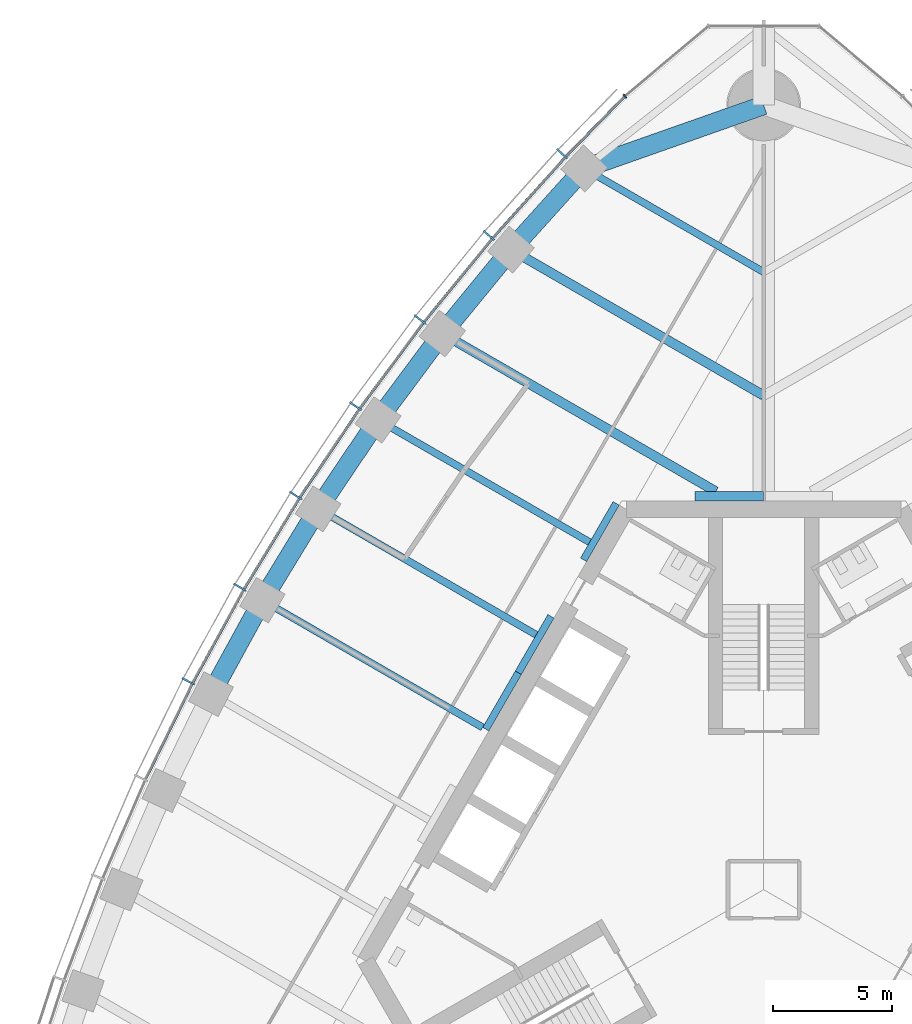
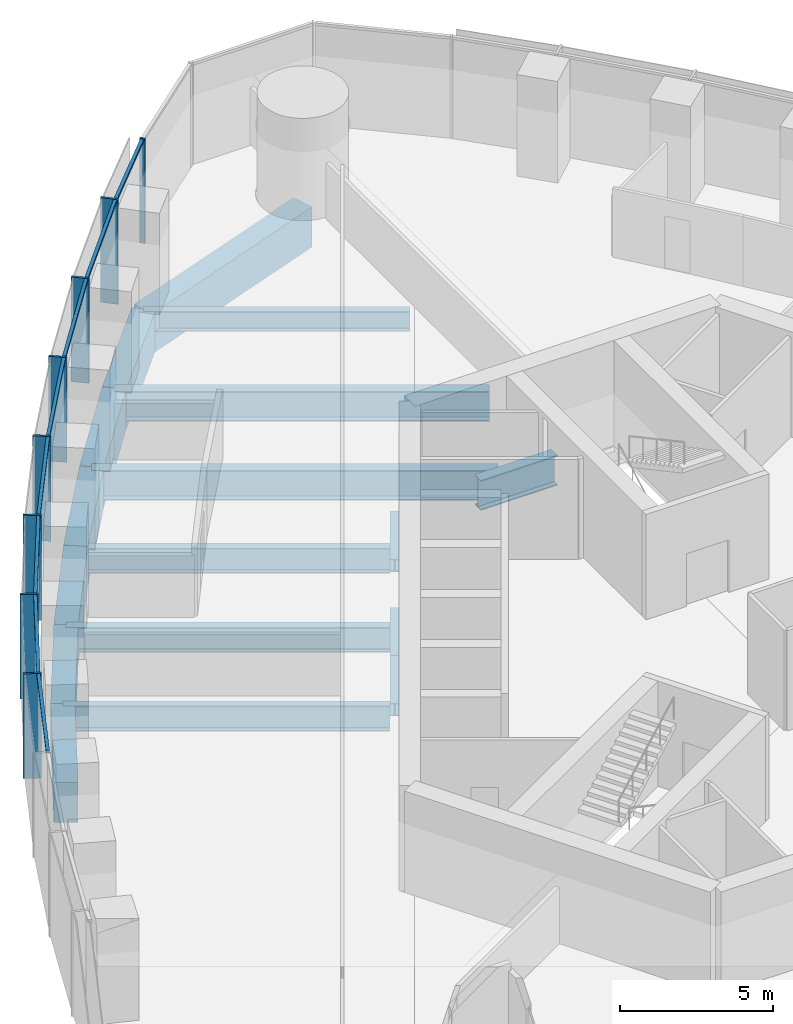
# One storey, part 5 of 19: 17 beams, 16 members, 2 elements without a shape of their own.
"""IFC4 building model written with IfcOpenShell, lengths in metres."""

from ifc_helpers import new_model, si_unit, direction, frame, origin, origin_2d, place, context, subcontext, project, spatial, rectangle, i_section, extrude, material, material_profile, profile_set, type_object, element, aggregate, save


model = new_model("IFC4")

# Units and contexts
model_context = context("Model", 3, precision=1e-05, world=origin(), true_north=direction((0.0, 1.0)))
body_context = subcontext(model_context, "Body", "Model", "MODEL_VIEW")
ifc_project = project(units=[si_unit("LENGTHUNIT", "METRE"), si_unit("AREAUNIT", "SQUARE_METRE"), si_unit("VOLUMEUNIT", "CUBIC_METRE"), si_unit("PLANEANGLEUNIT", "RADIAN"), si_unit("MASSUNIT", "GRAM", prefix="KILO")], contexts=[model_context])

# Site, building, storey
site_placement = place(None, origin())
site = spatial("IfcSite", under=ifc_project, at=site_placement, CompositionType="ELEMENT")
building_placement = place(site_placement, origin())
building = spatial("IfcBuilding", under=site, at=building_placement, Name="Trefoil Bronze Tower", CompositionType="ELEMENT")
storey_placement = place(building_placement, frame((0.0, 0.0, 256.89990234375)))
storey = spatial("IfcBuildingStorey", under=building, at=storey_placement, Name="L59", CompositionType="ELEMENT", Elevation=256.89990234375)

# Curtain wall, members
ifc_material_1 = material(Name="Tinted solar-control glass", Category="glass")
curtain_wall_type_1 = type_object("IfcCurtainWallType", Name="Bronze office curtain wall", PredefinedType="USERDEFINED", material=ifc_material_1)
curtain_wall_1_placement = place(storey_placement, origin())
curtain_wall_1 = element("IfcCurtainWall", 1, at=curtain_wall_1_placement, inside=storey, type_object=curtain_wall_type_1, Name="CW-A L59 F3", ObjectType="CURTAIN WALL", PredefinedType="USERDEFINED")
ifc_material_2 = material(Name="Bronze-finish aluminium", Category="aluminium")
ifc_material_profile_1 = material_profile(ifc_material_2, rectangle(XDim=0.60009765625, YDim=0.080078125, at=origin_2d()), Name="CW-A mullion")
ifc_profile_set_1 = profile_set([ifc_material_profile_1], Name="Bronze-finish aluminium")
member_type_1 = type_object("IfcMemberType", Name="Bronze office curtain wall mullion", PredefinedType="MULLION", material=ifc_profile_set_1)
member_1_placement = place(storey_placement, frame((-8.482177734375, 30.95654296875, 0.0), z_axis=(0.0, 0.0, 1.0), x_axis=(0.729859580661, -0.683597098091, 0.0)))
member_1 = element("IfcMember", 2, at=member_1_placement, type_object=member_type_1, Name="CW-A L59 F3 mullion 2", PredefinedType="MULLION", context=body_context, shape_type="SweptSolid", body=[
    extrude(rectangle(XDim=0.60009765625, YDim=0.080078125, at=origin_2d()), origin(), (0.0, 0.0, 1.0), 4.18017578125),
])
member_2_placement = place(storey_placement, frame((-11.564697265625, 27.525146484375, 0.0), z_axis=(0.0, 0.0, 1.0), x_axis=(0.75935470958, -0.650676897576, 0.0)))
member_2 = element("IfcMember", 3, at=member_2_placement, type_object=member_type_1, Name="CW-A L59 F3 mullion 3", PredefinedType="MULLION", context=body_context, shape_type="SweptSolid", body=[
    extrude(rectangle(XDim=0.60009765625, YDim=0.080078125, at=origin_2d()), origin(), (0.0, 0.0, 1.0), 4.18017578125),
])
member_3_placement = place(storey_placement, frame((-14.45849609375, 23.98388671875, 0.0), z_axis=(0.0, 0.0, 1.0), x_axis=(0.788821461078, -0.614622406476, 0.0)))
member_3 = element("IfcMember", 4, at=member_3_placement, type_object=member_type_1, Name="CW-A L59 F3 mullion 4", PredefinedType="MULLION", context=body_context, shape_type="SweptSolid", body=[
    extrude(rectangle(XDim=0.60009765625, YDim=0.080078125, at=origin_2d()), origin(), (0.0, 0.0, 1.0), 4.18017578125),
])
member_4_placement = place(storey_placement, frame((-17.167236328125, 20.335693359375, 0.0), z_axis=(0.0, 0.0, 1.0), x_axis=(0.81640398396, -0.577481198806, 0.0)))
member_4 = element("IfcMember", 5, at=member_4_placement, type_object=member_type_1, Name="CW-A L59 F3 mullion 5", PredefinedType="MULLION", context=body_context, shape_type="SweptSolid", body=[
    extrude(rectangle(XDim=0.60009765625, YDim=0.080078125, at=origin_2d()), origin(), (0.0, 0.0, 1.0), 4.18017578125),
])
member_5_placement = place(storey_placement, frame((-19.694091796875, 16.58251953125, 0.0), z_axis=(0.0, 0.0, 1.0), x_axis=(0.842132664593, -0.539270410114, 0.0)))
member_5 = element("IfcMember", 6, at=member_5_placement, type_object=member_type_1, Name="CW-A L59 F3 mullion 6", PredefinedType="MULLION", context=body_context, shape_type="SweptSolid", body=[
    extrude(rectangle(XDim=0.60009765625, YDim=0.080078125, at=origin_2d()), origin(), (0.0, 0.0, 1.0), 4.18017578125),
])
member_6_placement = place(storey_placement, frame((-22.041015625, 12.725341796875, 0.0), z_axis=(0.0, 0.0, 1.0), x_axis=(0.866025403784, -0.5, 0.0)))
member_6 = element("IfcMember", 7, at=member_6_placement, type_object=member_type_1, Name="CW-A L59 F3 mullion 7", PredefinedType="MULLION", context=body_context, shape_type="SweptSolid", body=[
    extrude(rectangle(XDim=0.60009765625, YDim=0.080078125, at=origin_2d()), origin(), (0.0, 0.0, 1.0), 4.18017578125),
])
member_7_placement = place(storey_placement, frame((-24.2080078125, 8.764404296875, 0.0), z_axis=(0.0, 0.0, 1.0), x_axis=(0.888088206965, -0.459673075837, 0.0)))
member_7 = element("IfcMember", 8, at=member_7_placement, type_object=member_type_1, Name="CW-A L59 F3 mullion 8", PredefinedType="MULLION", context=body_context, shape_type="SweptSolid", body=[
    extrude(rectangle(XDim=0.60009765625, YDim=0.080078125, at=origin_2d()), origin(), (0.0, 0.0, 1.0), 4.18017578125),
])
ifc_material_3 = material(Name="Bronze-finish aluminium", Category="aluminium")
ifc_material_profile_2 = material_profile(ifc_material_3, rectangle(XDim=0.1201171875, YDim=0.10009765625, at=origin_2d()), Name="CW-A transom")
ifc_profile_set_2 = profile_set([ifc_material_profile_2], Name="Bronze-finish aluminium")
member_type_2 = type_object("IfcMemberType", Name="Bronze office curtain wall transom", PredefinedType="USERDEFINED", material=ifc_profile_set_2)
member_8_placement = place(storey_placement, frame((-5.873046875, 33.342529296875, 4.130126953125), z_axis=(-0.698646935368, -0.715466602785, 0.0), x_axis=(0.715466602785, -0.698646935368, 0.0)))
member_8 = element("IfcMember", 9, at=member_8_placement, type_object=member_type_2, Name="CW-A L59 F3 transom 1", ObjectType="TRANSOM", PredefinedType="USERDEFINED", context=body_context, shape_type="SweptSolid", body=[
    extrude(rectangle(XDim=0.1201171875, YDim=0.10009765625, at=origin_2d()), origin(), (0.0, 0.0, 1.0), 3.483642578125),
])
member_9_placement = place(storey_placement, frame((-8.364501953125, 30.78857421875, 4.130126953125), z_axis=(-0.66825109551, -0.743935799213, 0.0), x_axis=(0.743935799213, -0.66825109551, 0.0)))
member_9 = element("IfcMember", 10, at=member_9_placement, type_object=member_type_2, Name="CW-A L59 F3 transom 2", ObjectType="TRANSOM", PredefinedType="USERDEFINED", context=body_context, shape_type="SweptSolid", body=[
    extrude(rectangle(XDim=0.1201171875, YDim=0.10009765625, at=origin_2d()), origin(), (0.0, 0.0, 1.0), 4.519287109375),
])
member_10_placement = place(storey_placement, frame((-11.439453125, 27.3623046875, 4.130126953125), z_axis=(-0.632756871921, -0.774350528531, 0.0), x_axis=(0.774350528531, -0.632756871921, 0.0)))
member_10 = element("IfcMember", 11, at=member_10_placement, type_object=member_type_2, Name="CW-A L59 F3 transom 3", ObjectType="TRANSOM", PredefinedType="USERDEFINED", context=body_context, shape_type="SweptSolid", body=[
    extrude(rectangle(XDim=0.1201171875, YDim=0.10009765625, at=origin_2d()), origin(), (0.0, 0.0, 1.0), 4.4794921875),
])
member_11_placement = place(storey_placement, frame((-14.325927734375, 23.826904296875, 4.130126953125), z_axis=(-0.59614822717, -0.802874393191, 0.0), x_axis=(0.802874393191, -0.59614822717, 0.0)))
member_11 = element("IfcMember", 12, at=member_11_placement, type_object=member_type_2, Name="CW-A L59 F3 transom 4", ObjectType="TRANSOM", PredefinedType="USERDEFINED", context=body_context, shape_type="SweptSolid", body=[
    extrude(rectangle(XDim=0.1201171875, YDim=0.10009765625, at=origin_2d()), origin(), (0.0, 0.0, 1.0), 4.449951171875),
])
member_12_placement = place(storey_placement, frame((-17.027587890625, 20.18505859375, 4.130126953125), z_axis=(-0.558509087547, -0.829498402125, 0.0), x_axis=(0.829498402125, -0.558509087547, 0.0)))
member_12 = element("IfcMember", 13, at=member_12_placement, type_object=member_type_2, Name="CW-A L59 F3 transom 5", ObjectType="TRANSOM", PredefinedType="USERDEFINED", context=body_context, shape_type="SweptSolid", body=[
    extrude(rectangle(XDim=0.1201171875, YDim=0.10009765625, at=origin_2d()), origin(), (0.0, 0.0, 1.0), 4.4306640625),
])
member_13_placement = place(storey_placement, frame((-19.5478515625, 16.4384765625, 4.130126953125), z_axis=(-0.519740214649, -0.854324358354, 0.0), x_axis=(0.854324358354, -0.519740214649, 0.0)))
member_13 = element("IfcMember", 14, at=member_13_placement, type_object=member_type_2, Name="CW-A L59 F3 transom 6", ObjectType="TRANSOM", PredefinedType="USERDEFINED", context=body_context, shape_type="SweptSolid", body=[
    extrude(rectangle(XDim=0.1201171875, YDim=0.10009765625, at=origin_2d()), origin(), (0.0, 0.0, 1.0), 4.421142578125),
])
member_14_placement = place(storey_placement, frame((-21.887939453125, 12.588134765625, 4.130126953125), z_axis=(-0.479973729071, -0.877282861683, 0.0), x_axis=(0.877282861683, -0.479973729071, 0.0)))
member_14 = element("IfcMember", 15, at=member_14_placement, type_object=member_type_2, Name="CW-A L59 F3 transom 7", ObjectType="TRANSOM", PredefinedType="USERDEFINED", context=body_context, shape_type="SweptSolid", body=[
    extrude(rectangle(XDim=0.1201171875, YDim=0.10009765625, at=origin_2d()), origin(), (0.0, 0.0, 1.0), 4.421142578125),
])
member_15_placement = place(storey_placement, frame((-24.048828125, 8.634521484375, 4.130126953125), z_axis=(-0.439150835991, -0.898413347657, 0.0), x_axis=(0.898413347657, -0.439150835991, 0.0)))
member_15 = element("IfcMember", 16, at=member_15_placement, type_object=member_type_2, Name="CW-A L59 F3 transom 8", ObjectType="TRANSOM", PredefinedType="USERDEFINED", context=body_context, shape_type="SweptSolid", body=[
    extrude(rectangle(XDim=0.1201171875, YDim=0.10009765625, at=origin_2d()), origin(), (0.0, 0.0, 1.0), 4.430908203125),
])
aggregate(curtain_wall_1, [member_1, member_2, member_3, member_4, member_5, member_6, member_7, member_8, member_9, member_10, member_11, member_12, member_13, member_14, member_15])

# Curtain wall, member
ifc_material_4 = material(Name="Tinted solar-control glass", Category="glass")
curtain_wall_type_2 = type_object("IfcCurtainWallType", Name="Bronze rounded corner curtain wall", PredefinedType="USERDEFINED", material=ifc_material_4)
curtain_wall_2_placement = place(storey_placement, origin())
curtain_wall_2 = element("IfcCurtainWall", 17, at=curtain_wall_2_placement, inside=storey, type_object=curtain_wall_type_2, Name="CW-B L59 K2", ObjectType="CURTAIN WALL", PredefinedType="USERDEFINED")
ifc_material_5 = material(Name="Bronze-finish aluminium", Category="aluminium")
ifc_material_profile_3 = material_profile(ifc_material_5, rectangle(XDim=0.199951171875, YDim=0.06005859375, at=origin_2d()), Name="CW-B mullion")
ifc_profile_set_3 = profile_set([ifc_material_profile_3], Name="Bronze-finish aluminium")
member_type_3 = type_object("IfcMemberType", Name="Bronze rounded corner curtain wall mullion", PredefinedType="MULLION", material=ifc_profile_set_3)
member_16_placement = place(storey_placement, frame((-5.837890625, 33.3779296875, 0.0), z_axis=(0.0, 0.0, 1.0), x_axis=(0.642787609687, -0.766044443119, 0.0)))
member_16 = element("IfcMember", 18, at=member_16_placement, type_object=member_type_3, Name="CW-B L59 K2 mullion 4", PredefinedType="MULLION", context=body_context, shape_type="SweptSolid", body=[
    extrude(rectangle(XDim=0.199951171875, YDim=0.06005859375, at=origin_2d()), origin(), (0.0, 0.0, 1.0), 4.18017578125),
])
aggregate(curtain_wall_2, [member_16])

# Beams
ifc_material_6 = material(Name="Steel C355", Category="steel")
ifc_material_profile_4 = material_profile(ifc_material_6, i_section(OverallWidth=0.300048828125, OverallDepth=0.5, WebThickness=0.014404296875, FlangeThickness=0.028076171875, FilletRadius=0.027099609375, at=origin_2d()), Name="HEB 500")
ifc_profile_set_4 = profile_set([ifc_material_profile_4], Name="Steel C355")
beam_type_1 = type_object("IfcBeamType", Name="Core seat beam HEB 500", PredefinedType="BEAM", material=ifc_profile_set_4)
for number, where, z_axis, x_axis, name in (
    (19, (-6.20654296875, 16.25, -0.449951171875), (-0.499969057507, -0.866043267704, 0.0), (0.866043267704, -0.499969057507, 0.0), "Core seat beam F3/-2 L59"),
    (20, (-8.948974609375, 11.5, -0.449951171875), (-0.499969057507, -0.866043267704, 0.0), (0.866043267704, -0.499969057507, 0.0), "Core seat beam F3/-1 L59"),
    (21, (-10.320068359375, 9.125, -0.449951171875), (-0.500035825175, -0.866004719122, 0.0), (0.866004719122, -0.500035825175, 0.0), "Core seat beam F3/+0 L59"),
):
    element("IfcBeam", number, at=place(storey_placement, frame(where, z_axis=z_axis, x_axis=x_axis)), inside=storey, type_object=beam_type_1, Name=name, PredefinedType="BEAM", context=body_context, shape_type="SweptSolid", body=[
        extrude(i_section(OverallWidth=0.300048828125, OverallDepth=0.5, WebThickness=0.014404296875, FlangeThickness=0.028076171875, FilletRadius=0.027099609375, at=origin_2d()), origin(), (0.0, 0.0, 1.0), 2.742431640625),
    ])
ifc_material_7 = material(Name="Steel C355", Category="steel")
ifc_material_profile_5 = material_profile(ifc_material_7, i_section(OverallWidth=0.39990234375, OverallDepth=1.199951171875, WebThickness=0.02001953125, FlangeThickness=0.0400390625, FilletRadius=0.010009765625, at=origin_2d()), Name="WPG 1200")
ifc_profile_set_5 = profile_set([ifc_material_profile_5], Name="Steel C355")
beam_type_2 = type_object("IfcBeamType", Name="Core seat beam WPG 1200", PredefinedType="BEAM", material=ifc_profile_set_5)
beam_1_placement = place(storey_placement, frame((0.0, 16.550048828125, -0.7998046875), z_axis=(-1.0, 0.0, 0.0), x_axis=(0.0, -1.0, 0.0)))
element("IfcBeam", 22, at=beam_1_placement, inside=storey, type_object=beam_type_2, Name="Core seat beam F3/-3 L59", PredefinedType="BEAM", context=body_context, shape_type="SweptSolid", body=[
    extrude(i_section(OverallWidth=0.39990234375, OverallDepth=1.199951171875, WebThickness=0.02001953125, FlangeThickness=0.0400390625, FilletRadius=0.010009765625, at=origin_2d()), origin(), (0.0, 0.0, 1.0), 2.88671875),
])
ifc_material_8 = material(Name="Concrete B80", Category="concrete")
ifc_material_profile_6 = material_profile(ifc_material_8, rectangle(XDim=0.800048828125, YDim=1.60009765625, at=origin_2d()), Name="RC 800x1600")
ifc_profile_set_6 = profile_set([ifc_material_profile_6], Name="Concrete B80")
beam_type_3 = type_object("IfcBeamType", Name="End spandrel beam RC 800x1600", PredefinedType="SPANDREL", material=ifc_profile_set_6)
beam_2_placement = place(storey_placement, frame((0.0, 33.0, -1.0), z_axis=(-0.943234397359, -0.332127794137, 0.0), x_axis=(0.332127794137, -0.943234397359, 0.0)))
element("IfcBeam", 23, at=beam_2_placement, inside=storey, type_object=beam_type_3, Name="Spandrel F3.1 L59", PredefinedType="SPANDREL", context=body_context, shape_type="SweptSolid", body=[
    extrude(rectangle(XDim=0.800048828125, YDim=1.60009765625, at=origin_2d()), origin(), (0.0, 0.0, 1.0), 8.006591796875),
])
ifc_material_9 = material(Name="Steel C355", Category="steel")
ifc_material_profile_7 = material_profile(ifc_material_9, i_section(OverallWidth=0.300048828125, OverallDepth=1.0, WebThickness=0.01904296875, FlangeThickness=0.035888671875, FilletRadius=0.030029296875, at=origin_2d()), Name="HEB 1000")
ifc_profile_set_7 = profile_set([ifc_material_profile_7], Name="Steel C355")
beam_type_4 = type_object("IfcBeamType", Name="Floor beam HEB 1000", PredefinedType="BEAM", material=ifc_profile_set_7)
beam_3_placement = place(storey_placement, frame((-16.2265625, 19.7607421875, -0.699951171875), z_axis=(0.866019527493, -0.500010177898, 0.0), x_axis=(0.500010177898, 0.866019527493, 0.0)))
element("IfcBeam", 24, at=beam_3_placement, inside=storey, type_object=beam_type_4, Name="Floor beam F3/-2 L59", PredefinedType="BEAM", context=body_context, shape_type="SweptSolid", body=[
    extrude(i_section(OverallWidth=0.300048828125, OverallDepth=1.0, WebThickness=0.01904296875, FlangeThickness=0.035888671875, FilletRadius=0.030029296875, at=origin_2d()), origin(), (0.0, 0.0, 1.0), 10.282958984375),
])
ifc_material_10 = material(Name="Steel C355", Category="steel")
ifc_material_profile_8 = material_profile(ifc_material_10, i_section(OverallWidth=0.300048828125, OverallDepth=0.800048828125, WebThickness=0.017578125, FlangeThickness=0.032958984375, FilletRadius=0.030029296875, at=origin_2d()), Name="HEB 800")
ifc_profile_set_8 = profile_set([ifc_material_profile_8], Name="Steel C355")
beam_type_5 = type_object("IfcBeamType", Name="Floor beam HEB 800", PredefinedType="BEAM", material=ifc_profile_set_8)
beam_4_placement = place(storey_placement, frame((-7.552001953125, 30.3408203125, -0.599853515625), z_axis=(0.866027535932, -0.499996306993, 0.0), x_axis=(0.499996306993, 0.866027535932, 0.0)))
element("IfcBeam", 25, at=beam_4_placement, inside=storey, type_object=beam_type_5, Name="Floor beam F3/-5 L59", PredefinedType="BEAM", context=body_context, shape_type="SweptSolid", body=[
    extrude(i_section(OverallWidth=0.300048828125, OverallDepth=0.800048828125, WebThickness=0.017578125, FlangeThickness=0.032958984375, FilletRadius=0.030029296875, at=origin_2d()), origin(), (0.0, 0.0, 1.0), 8.72021484375),
])
ifc_material_11 = material(Name="Steel C355", Category="steel")
ifc_material_profile_9 = material_profile(ifc_material_11, i_section(OverallWidth=0.302001953125, OverallDepth=1.008056640625, WebThickness=0.02099609375, FlangeThickness=0.0400390625, FilletRadius=0.030029296875, at=origin_2d()), Name="HEM 1000")
ifc_profile_set_9 = profile_set([ifc_material_profile_9], Name="Steel C355")
beam_type_6 = type_object("IfcBeamType", Name="Floor beam HEM 1000", PredefinedType="BEAM", material=ifc_profile_set_9)
beam_5_placement = place(storey_placement, frame((-18.748046875, 16.020263671875, -0.703857421875), z_axis=(0.86602981261, -0.499992363612, 0.0), x_axis=(0.499992363612, 0.86602981261, 0.0)))
element("IfcBeam", 26, at=beam_5_placement, inside=storey, type_object=beam_type_6, Name="Floor beam F3/-1 L59", PredefinedType="BEAM", context=body_context, shape_type="SweptSolid", body=[
    extrude(i_section(OverallWidth=0.302001953125, OverallDepth=1.008056640625, WebThickness=0.02099609375, FlangeThickness=0.0400390625, FilletRadius=0.030029296875, at=origin_2d()), origin(), (0.0, 0.0, 1.0), 10.596435546875),
])
beam_6_placement = place(storey_placement, frame((-21.08837890625, 12.17529296875, -0.703857421875), z_axis=(0.86602601154, -0.499998947334, 0.0), x_axis=(0.499998947334, 0.86602601154, 0.0)))
element("IfcBeam", 27, at=beam_6_placement, inside=storey, type_object=beam_type_6, Name="Floor beam F3/+0 L59", PredefinedType="BEAM", context=body_context, shape_type="SweptSolid", body=[
    extrude(i_section(OverallWidth=0.302001953125, OverallDepth=1.008056640625, WebThickness=0.02099609375, FlangeThickness=0.0400390625, FilletRadius=0.030029296875, at=origin_2d()), origin(), (0.0, 0.0, 1.0), 10.70068359375),
])
ifc_material_12 = material(Name="Steel C355", Category="steel")
ifc_material_profile_10 = material_profile(ifc_material_12, i_section(OverallWidth=0.39990234375, OverallDepth=1.199951171875, WebThickness=0.02001953125, FlangeThickness=0.0400390625, FilletRadius=0.010009765625, at=origin_2d()), Name="WPG 1200")
ifc_profile_set_10 = profile_set([ifc_material_profile_10], Name="Steel C355")
beam_type_7 = type_object("IfcBeamType", Name="Floor beam WPG 1200", PredefinedType="BEAM", material=ifc_profile_set_10)
beam_7_placement = place(storey_placement, frame((-10.632080078125, 26.923095703125, -0.7998046875), z_axis=(0.866025635187, -0.499999599199, 0.0), x_axis=(0.499999599199, 0.866025635187, 0.0)))
element("IfcBeam", 28, at=beam_7_placement, inside=storey, type_object=beam_type_7, Name="Floor beam F3/-4 L59", PredefinedType="BEAM", context=body_context, shape_type="SweptSolid", body=[
    extrude(i_section(OverallWidth=0.39990234375, OverallDepth=1.199951171875, WebThickness=0.02001953125, FlangeThickness=0.0400390625, FilletRadius=0.010009765625, at=origin_2d()), origin(), (0.0, 0.0, 1.0), 12.27685546875),
])
beam_8_placement = place(storey_placement, frame((-13.522216796875, 23.3955078125, -0.7998046875), z_axis=(0.866023461342, -0.500003364394, 0.0), x_axis=(0.500003364394, 0.866023461342, 0.0)))
element("IfcBeam", 29, at=beam_8_placement, inside=storey, type_object=beam_type_7, Name="Floor beam F3/-3 L59", PredefinedType="BEAM", context=body_context, shape_type="SweptSolid", body=[
    extrude(i_section(OverallWidth=0.39990234375, OverallDepth=1.199951171875, WebThickness=0.02001953125, FlangeThickness=0.0400390625, FilletRadius=0.010009765625, at=origin_2d()), origin(), (0.0, 0.0, 1.0), 13.291015625),
])
ifc_material_13 = material(Name="Concrete B80", Category="concrete")
ifc_material_profile_11 = material_profile(ifc_material_13, rectangle(XDim=0.800048828125, YDim=1.60009765625, at=origin_2d()), Name="RC 800x1600")
ifc_profile_set_11 = profile_set([ifc_material_profile_11], Name="Concrete B80")
beam_type_8 = type_object("IfcBeamType", Name="Spandrel beam RC 800x1600", PredefinedType="SPANDREL", material=ifc_profile_set_11)
beam_9_placement = place(storey_placement, frame((-7.552001953125, 30.3408203125, -1.0), z_axis=(-0.669460045872, -0.742848064534, 0.0), x_axis=(0.742848064534, -0.669460045872, 0.0)))
element("IfcBeam", 30, at=beam_9_placement, inside=storey, type_object=beam_type_8, Name="Spandrel F3.2 L59", PredefinedType="SPANDREL", context=body_context, shape_type="SweptSolid", body=[
    extrude(rectangle(XDim=0.800048828125, YDim=1.60009765625, at=origin_2d()), origin(), (0.0, 0.0, 1.0), 4.600830078125),
])
beam_10_placement = place(storey_placement, frame((-10.632080078125, 26.923095703125, -1.0), z_axis=(-0.633753657863, -0.773534938542, 0.0), x_axis=(0.773534938542, -0.633753657863, 0.0)))
element("IfcBeam", 31, at=beam_10_placement, inside=storey, type_object=beam_type_8, Name="Spandrel F3.3 L59", PredefinedType="SPANDREL", context=body_context, shape_type="SweptSolid", body=[
    extrude(rectangle(XDim=0.800048828125, YDim=1.60009765625, at=origin_2d()), origin(), (0.0, 0.0, 1.0), 4.560302734375),
])
beam_11_placement = place(storey_placement, frame((-13.522216796875, 23.3955078125, -1.0), z_axis=(-0.596926078257, -0.802296240236, 0.0), x_axis=(0.802296240236, -0.596926078257, 0.0)))
element("IfcBeam", 32, at=beam_11_placement, inside=storey, type_object=beam_type_8, Name="Spandrel F3.4 L59", PredefinedType="SPANDREL", context=body_context, shape_type="SweptSolid", body=[
    extrude(rectangle(XDim=0.800048828125, YDim=1.60009765625, at=origin_2d()), origin(), (0.0, 0.0, 1.0), 4.530517578125),
])
beam_12_placement = place(storey_placement, frame((-16.2265625, 19.7607421875, -1.0), z_axis=(-0.558964302753, -0.829191719838, 0.0), x_axis=(0.829191719838, -0.558964302753, 0.0)))
element("IfcBeam", 33, at=beam_12_placement, inside=storey, type_object=beam_type_8, Name="Spandrel F3.5 L59", PredefinedType="SPANDREL", context=body_context, shape_type="SweptSolid", body=[
    extrude(rectangle(XDim=0.800048828125, YDim=1.60009765625, at=origin_2d()), origin(), (0.0, 0.0, 1.0), 4.510986328125),
])
for number, where, z_axis, x_axis, name in (
    (34, (-18.748046875, 16.020263671875, -1.0), (-0.519933181394, -0.854206934464, 0.0), (0.854206934464, -0.519933181394, 0.0), "Spandrel F3.6 L59"),
    (35, (-21.08837890625, 12.17529296875, -1.0), (-0.479801903802, -0.87737684783, 0.0), (0.87737684783, -0.479801903802, 0.0), "Spandrel F3.7 L59"),
):
    element("IfcBeam", number, at=place(storey_placement, frame(where, z_axis=z_axis, x_axis=x_axis)), inside=storey, type_object=beam_type_8, Name=name, PredefinedType="SPANDREL", context=body_context, shape_type="SweptSolid", body=[
        extrude(rectangle(XDim=0.800048828125, YDim=1.60009765625, at=origin_2d()), origin(), (0.0, 0.0, 1.0), 4.501220703125),
    ])

save(model, "model.ifc")
